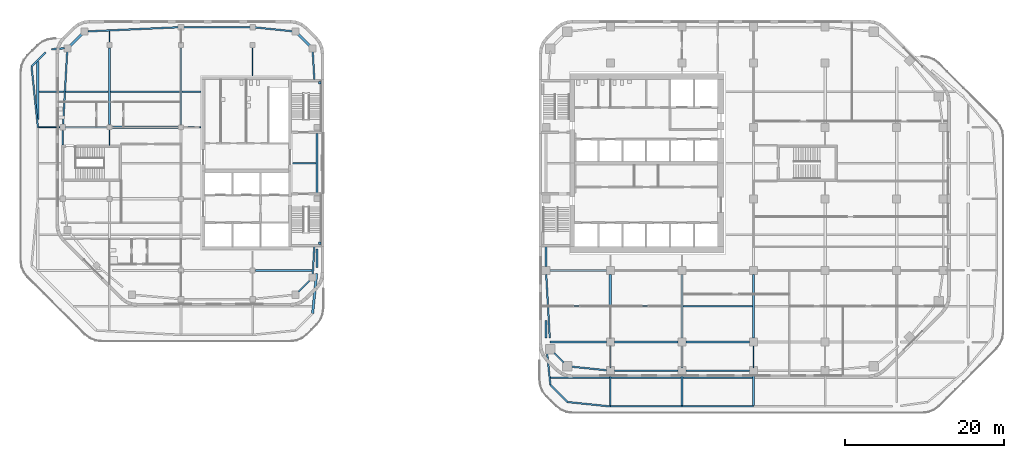
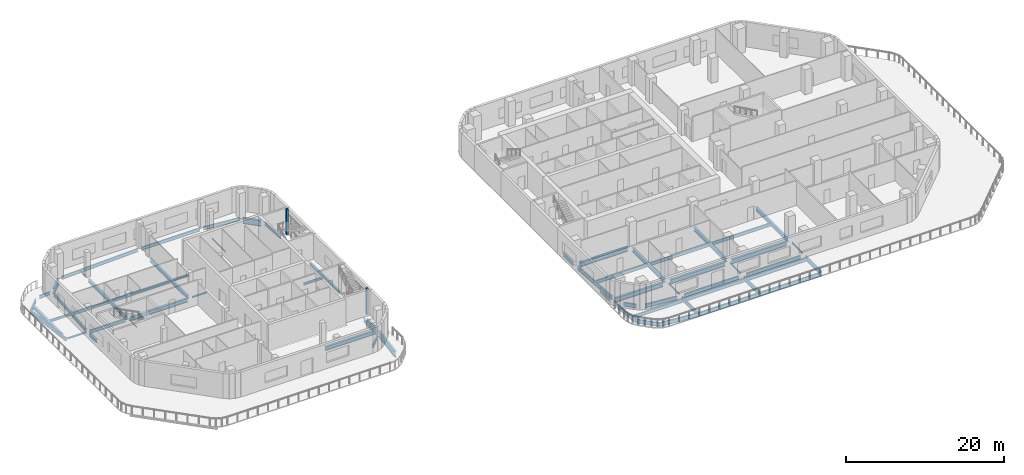
# One storey, part 2 of 15: 63 beams, 2 members.
"""IFC4 building model written with IfcOpenShell, lengths in metres."""

from ifc_helpers import new_model, si_unit, direction, frame, origin, origin_2d, place, context, subcontext, project, spatial, rectangle, i_section, extrude, material, material_profile, profile_set, type_object, element, save


model = new_model("IFC4")

# Units and contexts
model_context = context("Model", 3, precision=1e-05, world=origin(), true_north=direction((0.0, 1.0)))
body_context = subcontext(model_context, "Body", "Model", "MODEL_VIEW")
ifc_project = project(units=[si_unit("LENGTHUNIT", "METRE"), si_unit("AREAUNIT", "SQUARE_METRE"), si_unit("VOLUMEUNIT", "CUBIC_METRE"), si_unit("PLANEANGLEUNIT", "RADIAN"), si_unit("MASSUNIT", "GRAM", prefix="KILO")], contexts=[model_context])

# Site, building, storey
site_placement = place(None, origin())
site = spatial("IfcSite", under=ifc_project, at=site_placement, CompositionType="ELEMENT")
building_placement = place(site_placement, origin())
building = spatial("IfcBuilding", under=site, at=building_placement, Name="Cinnabar Reach Civic Tower", CompositionType="ELEMENT")
storey_placement = place(building_placement, frame((0.0, 0.0, 100.0)))
storey = spatial("IfcBuildingStorey", under=building, at=storey_placement, Name="L23", CompositionType="ELEMENT", Elevation=100.0)

# Beams
ifc_material_1 = material(Name="Steel Q355B", Category="steel")
ifc_material_profile_1 = material_profile(ifc_material_1, i_section(OverallWidth=0.3, OverallDepth=0.488, WebThickness=0.011, FlangeThickness=0.018, FilletRadius=0.016, at=origin_2d()), Name="HM488x300x11x18")
ifc_profile_set_1 = profile_set([ifc_material_profile_1], Name="Steel Q355B")
beam_type_1 = type_object("IfcBeamType", Name="HM488x300x11x18 beam R 120", PredefinedType="BEAM", material=ifc_profile_set_1)
beam_1_placement = place(storey_placement, frame((-63.0, 36.9842, -0.394), z_axis=(0.0, 1.0, 0.0), x_axis=(-1.0, 0.0, 0.0)))
element("IfcBeam", 1, at=beam_1_placement, inside=storey, type_object=beam_type_1, Name="Girder T2 L23 2", PredefinedType="BEAM", context=body_context, shape_type="SweptSolid", body=[
    extrude(i_section(OverallWidth=0.3, OverallDepth=0.488, WebThickness=0.011, FlangeThickness=0.018, FilletRadius=0.016, at=origin_2d()), origin(), (0.0, 0.0, 1.0), 7.3166),
])
for number, where, z_axis, x_axis, name in (
    (2, (-54.0, 36.352, -0.394), (0.0, 1.0, 0.0), (-1.0, 0.0, 0.0), "Girder T2 L23 7"),
    (3, (-45.0, 36.352, -0.394), (0.0, 1.0, 0.0), (-1.0, 0.0, 0.0), "Girder T2 L23 13"),
):
    element("IfcBeam", number, at=place(storey_placement, frame(where, z_axis=z_axis, x_axis=x_axis)), inside=storey, type_object=beam_type_1, Name=name, PredefinedType="BEAM", context=body_context, shape_type="SweptSolid", body=[
        extrude(i_section(OverallWidth=0.3, OverallDepth=0.488, WebThickness=0.011, FlangeThickness=0.018, FilletRadius=0.016, at=origin_2d()), origin(), (0.0, 0.0, 1.0), 9.596),
    ])
ifc_material_profile_2 = material_profile(ifc_material_1, i_section(OverallWidth=0.3, OverallDepth=0.588, WebThickness=0.012, FlangeThickness=0.02, FilletRadius=0.016, at=origin_2d()), Name="HM588x300x12x20")
ifc_profile_set_2 = profile_set([ifc_material_profile_2], Name="Steel Q355B")
beam_type_2 = type_object("IfcBeamType", Name="HM588x300x12x20 beam R 120", PredefinedType="BEAM", material=ifc_profile_set_2)
beam_2_placement = place(storey_placement, frame((-35.648, 18.0, -0.444), z_axis=(1.0, 0.0, 0.0), x_axis=(0.0, 1.0, 0.0)))
element("IfcBeam", 4, at=beam_2_placement, inside=storey, type_object=beam_type_2, Name="Girder T2 L23 4", PredefinedType="BEAM", context=body_context, shape_type="SweptSolid", body=[
    extrude(i_section(OverallWidth=0.3, OverallDepth=0.588, WebThickness=0.012, FlangeThickness=0.02, FilletRadius=0.016, at=origin_2d()), origin(), (0.0, 0.0, 1.0), 7.1429),
])
beam_3_placement = place(storey_placement, frame((-53.648, 36.0, -0.444), z_axis=(1.0, 0.0, 0.0), x_axis=(0.0, 1.0, 0.0)))
element("IfcBeam", 5, at=beam_3_placement, inside=storey, type_object=beam_type_2, Name="Girder T2 L23 11", PredefinedType="BEAM", context=body_context, shape_type="SweptSolid", body=[
    extrude(i_section(OverallWidth=0.3, OverallDepth=0.588, WebThickness=0.012, FlangeThickness=0.02, FilletRadius=0.016, at=origin_2d()), origin(), (0.0, 0.0, 1.0), 8.296),
])
ifc_material_profile_3 = material_profile(ifc_material_1, i_section(OverallWidth=0.302, OverallDepth=0.594, WebThickness=0.014, FlangeThickness=0.023, FilletRadius=0.016, at=origin_2d()), Name="HM594x302x14x23")
ifc_profile_set_3 = profile_set([ifc_material_profile_3], Name="Steel Q355B")
beam_type_3 = type_object("IfcBeamType", Name="HM594x302x14x23 beam R 180", PredefinedType="BEAM", material=ifc_profile_set_3)
for number, where, z_axis, x_axis, name in (
    (6, (9.0, 9.502, -0.447), (0.0, 1.0, 0.0), (-1.0, 0.0, 0.0), "Girder T1 L23 3"),
    (7, (18.0, 9.502, -0.447), (0.0, 1.0, 0.0), (-1.0, 0.0, 0.0), "Girder T1 L23 7"),
    (8, (27.0, 9.502, -0.447), (0.0, 1.0, 0.0), (-1.0, 0.0, 0.0), "Girder T1 L23 11"),
):
    element("IfcBeam", number, at=place(storey_placement, frame(where, z_axis=z_axis, x_axis=x_axis)), inside=storey, type_object=beam_type_3, Name=name, PredefinedType="BEAM", context=body_context, shape_type="SweptSolid", body=[
        extrude(i_section(OverallWidth=0.302, OverallDepth=0.594, WebThickness=0.014, FlangeThickness=0.023, FilletRadius=0.016, at=origin_2d()), origin(), (0.0, 0.0, 1.0), 7.996),
    ])
ifc_material_profile_4 = material_profile(ifc_material_1, i_section(OverallWidth=0.099, OverallDepth=0.198, WebThickness=0.0045, FlangeThickness=0.007, FilletRadius=0.013, at=origin_2d()), Name="HN200x100x5.5x8")
ifc_profile_set_4 = profile_set([ifc_material_profile_4], Name="Steel Q355B")
beam_type_4 = type_object("IfcBeamType", Name="HN200x100x5.5x8 beam R 120", PredefinedType="BEAM", material=ifc_profile_set_4)
beam_4_placement = place(storey_placement, frame((-54.0, 33.752, -0.249), z_axis=(0.0, 1.0, 0.0), x_axis=(-1.0, 0.0, 0.0)))
element("IfcBeam", 9, at=beam_4_placement, inside=storey, type_object=beam_type_4, Name="Girder T2 L23 6", PredefinedType="BEAM", context=body_context, shape_type="SweptSolid", body=[
    extrude(i_section(OverallWidth=0.099, OverallDepth=0.198, WebThickness=0.0045, FlangeThickness=0.007, FilletRadius=0.013, at=origin_2d()), origin(), (0.0, 0.0, 1.0), 1.896),
])
beam_5_placement = place(storey_placement, frame((-54.0, 46.752, -0.249), z_axis=(0.0, 1.0, 0.0), x_axis=(-1.0, 0.0, 0.0)))
element("IfcBeam", 10, at=beam_5_placement, inside=storey, type_object=beam_type_4, Name="Girder T2 L23 8", PredefinedType="BEAM", context=body_context, shape_type="SweptSolid", body=[
    extrude(i_section(OverallWidth=0.099, OverallDepth=0.198, WebThickness=0.0045, FlangeThickness=0.007, FilletRadius=0.013, at=origin_2d()), origin(), (0.0, 0.0, 1.0), 1.3361),
])
beam_6_placement = place(storey_placement, frame((-36.0, 42.502, -0.249), z_axis=(0.0, 1.0, 0.0), x_axis=(-1.0, 0.0, 0.0)))
element("IfcBeam", 11, at=beam_6_placement, inside=storey, type_object=beam_type_4, Name="Girder T2 L23 17", PredefinedType="BEAM", context=body_context, shape_type="SweptSolid", body=[
    extrude(i_section(OverallWidth=0.099, OverallDepth=0.198, WebThickness=0.0045, FlangeThickness=0.007, FilletRadius=0.013, at=origin_2d()), origin(), (0.0, 0.0, 1.0), 3.446),
])
ifc_material_profile_5 = material_profile(ifc_material_1, i_section(OverallWidth=0.099, OverallDepth=0.198, WebThickness=0.0045, FlangeThickness=0.007, FilletRadius=0.013, at=origin_2d()), Name="HN200x100x5.5x8")
ifc_profile_set_5 = profile_set([ifc_material_profile_5], Name="Steel Q355B")
beam_type_5 = type_object("IfcBeamType", Name="HN200x100x5.5x8 beam R 180", PredefinedType="BEAM", material=ifc_profile_set_5)
for number, where, z_axis, x_axis, name in (
    (12, (9.0, 5.752, -0.249), (0.0, 1.0, 0.0), (-1.0, 0.0, 0.0), "Girder T1 L23 2"),
    (13, (18.0, 5.752, -0.249), (0.0, 1.0, 0.0), (-1.0, 0.0, 0.0), "Girder T1 L23 6"),
    (14, (27.0, 5.752, -0.249), (0.0, 1.0, 0.0), (-1.0, 0.0, 0.0), "Girder T1 L23 10"),
):
    element("IfcBeam", number, at=place(storey_placement, frame(where, z_axis=z_axis, x_axis=x_axis)), inside=storey, type_object=beam_type_5, Name=name, PredefinedType="BEAM", context=body_context, shape_type="SweptSolid", body=[
        extrude(i_section(OverallWidth=0.099, OverallDepth=0.198, WebThickness=0.0045, FlangeThickness=0.007, FilletRadius=0.013, at=origin_2d()), origin(), (0.0, 0.0, 1.0), 2.746),
    ])
ifc_material_profile_6 = material_profile(ifc_material_1, i_section(OverallWidth=0.124, OverallDepth=0.248, WebThickness=0.005, FlangeThickness=0.008, FilletRadius=0.013, at=origin_2d()), Name="HN250x125x6x9")
ifc_profile_set_6 = profile_set([ifc_material_profile_6], Name="Steel Q355B")
beam_type_6 = type_object("IfcBeamType", Name="HN250x125x6x9 beam R 120", PredefinedType="BEAM", material=ifc_profile_set_6)
beam_7_placement = place(storey_placement, frame((-62.898, 36.0, -0.274), z_axis=(1.0, 0.0, 0.0), x_axis=(0.0, 1.0, 0.0)))
element("IfcBeam", 15, at=beam_7_placement, inside=storey, type_object=beam_type_6, Name="Girder T2 L23 9", PredefinedType="BEAM", context=body_context, shape_type="SweptSolid", body=[
    extrude(i_section(OverallWidth=0.124, OverallDepth=0.248, WebThickness=0.005, FlangeThickness=0.008, FilletRadius=0.013, at=origin_2d()), origin(), (0.0, 0.0, 1.0), 2.796),
])
beam_8_placement = place(storey_placement, frame((-44.648, 36.0, -0.274), z_axis=(1.0, 0.0, 0.0), x_axis=(0.0, 1.0, 0.0)))
element("IfcBeam", 16, at=beam_8_placement, inside=storey, type_object=beam_type_6, Name="Girder T2 L23 12", PredefinedType="BEAM", context=body_context, shape_type="SweptSolid", body=[
    extrude(i_section(OverallWidth=0.124, OverallDepth=0.248, WebThickness=0.005, FlangeThickness=0.008, FilletRadius=0.013, at=origin_2d()), origin(), (0.0, 0.0, 1.0), 2.146),
])
ifc_material_profile_7 = material_profile(ifc_material_1, i_section(OverallWidth=0.175, OverallDepth=0.35, WebThickness=0.007, FlangeThickness=0.011, FilletRadius=0.013, at=origin_2d()), Name="HN350x175x7x11")
ifc_profile_set_7 = profile_set([ifc_material_profile_7], Name="Steel Q355B")
beam_type_7 = type_object("IfcBeamType", Name="HN350x175x7x11 beam R 120", PredefinedType="BEAM", material=ifc_profile_set_7)
beam_9_placement = place(storey_placement, frame((-30.998, 31.5, -0.325), z_axis=(1.0, 0.0, 0.0), x_axis=(0.0, 1.0, 0.0)))
element("IfcBeam", 17, at=beam_9_placement, inside=storey, type_object=beam_type_7, Name="Secondary beam T2 L23 12", PredefinedType="BEAM", context=body_context, shape_type="SweptSolid", body=[
    extrude(i_section(OverallWidth=0.175, OverallDepth=0.35, WebThickness=0.007, FlangeThickness=0.011, FilletRadius=0.013, at=origin_2d()), origin(), (0.0, 0.0, 1.0), 2.996),
])
beam_10_placement = place(storey_placement, frame((-62.848, 40.5, -0.325), z_axis=(1.0, 0.0, 0.0), x_axis=(0.0, 1.0, 0.0)))
element("IfcBeam", 18, at=beam_10_placement, inside=storey, type_object=beam_type_7, Name="Secondary beam T2 L23 13", PredefinedType="BEAM", context=body_context, shape_type="SweptSolid", body=[
    extrude(i_section(OverallWidth=0.175, OverallDepth=0.35, WebThickness=0.007, FlangeThickness=0.011, FilletRadius=0.013, at=origin_2d()), origin(), (0.0, 0.0, 1.0), 3.1473),
])
beam_11_placement = place(storey_placement, frame((-44.848, 40.5, -0.325), z_axis=(1.0, 0.0, 0.0), x_axis=(0.0, 1.0, 0.0)))
element("IfcBeam", 19, at=beam_11_placement, inside=storey, type_object=beam_type_7, Name="Secondary beam T2 L23 16", PredefinedType="BEAM", context=body_context, shape_type="SweptSolid", body=[
    extrude(i_section(OverallWidth=0.175, OverallDepth=0.35, WebThickness=0.007, FlangeThickness=0.011, FilletRadius=0.013, at=origin_2d()), origin(), (0.0, 0.0, 1.0), 2.346),
])
ifc_material_profile_8 = material_profile(ifc_material_1, i_section(OverallWidth=0.2, OverallDepth=0.45, WebThickness=0.009, FlangeThickness=0.014, FilletRadius=0.016, at=origin_2d()), Name="HN450x200x9x14")
ifc_profile_set_8 = profile_set([ifc_material_profile_8], Name="Steel Q355B")
beam_type_8 = type_object("IfcBeamType", Name="HN450x200x9x14 beam R 120", PredefinedType="BEAM", material=ifc_profile_set_8)
beam_12_placement = place(storey_placement, frame((-59.4964, 40.5, -0.375), z_axis=(1.0, 0.0, 0.0), x_axis=(0.0, 1.0, 0.0)))
element("IfcBeam", 20, at=beam_12_placement, inside=storey, type_object=beam_type_8, Name="Secondary beam T2 L23 14", PredefinedType="BEAM", context=body_context, shape_type="SweptSolid", body=[
    extrude(i_section(OverallWidth=0.2, OverallDepth=0.45, WebThickness=0.009, FlangeThickness=0.014, FilletRadius=0.016, at=origin_2d()), origin(), (0.0, 0.0, 1.0), 5.3444),
])
beam_13_placement = place(storey_placement, frame((-53.848, 40.5, -0.375), z_axis=(1.0, 0.0, 0.0), x_axis=(0.0, 1.0, 0.0)))
element("IfcBeam", 21, at=beam_13_placement, inside=storey, type_object=beam_type_8, Name="Secondary beam T2 L23 15", PredefinedType="BEAM", context=body_context, shape_type="SweptSolid", body=[
    extrude(i_section(OverallWidth=0.2, OverallDepth=0.45, WebThickness=0.009, FlangeThickness=0.014, FilletRadius=0.016, at=origin_2d()), origin(), (0.0, 0.0, 1.0), 8.696),
])
ifc_material_profile_9 = material_profile(ifc_material_1, i_section(OverallWidth=0.199, OverallDepth=0.496, WebThickness=0.009, FlangeThickness=0.014, FilletRadius=0.016, at=origin_2d()), Name="HN496x199x9x14")
ifc_profile_set_9 = profile_set([ifc_material_profile_9], Name="Steel Q355B")
beam_type_9 = type_object("IfcBeamType", Name="HN496x199x9x14 beam R 180", PredefinedType="BEAM", material=ifc_profile_set_9)
beam_14_placement = place(storey_placement, frame((1.4636, 4.5, -0.398), z_axis=(1.0, 0.0, 0.0), x_axis=(0.0, 1.0, 0.0)))
element("IfcBeam", 22, at=beam_14_placement, inside=storey, type_object=beam_type_9, Name="Secondary beam T1 L23 1", PredefinedType="BEAM", context=body_context, shape_type="SweptSolid", body=[
    extrude(i_section(OverallWidth=0.199, OverallDepth=0.496, WebThickness=0.009, FlangeThickness=0.014, FilletRadius=0.016, at=origin_2d()), origin(), (0.0, 0.0, 1.0), 7.4349),
])
for number, where, z_axis, x_axis, name in (
    (23, (9.1015, 4.5, -0.398), (1.0, 0.0, 0.0), (0.0, 1.0, 0.0), "Secondary beam T1 L23 2"),
    (24, (18.1015, 4.5, -0.398), (1.0, 0.0, 0.0), (0.0, 1.0, 0.0), "Secondary beam T1 L23 3"),
):
    element("IfcBeam", number, at=place(storey_placement, frame(where, z_axis=z_axis, x_axis=x_axis)), inside=storey, type_object=beam_type_9, Name=name, PredefinedType="BEAM", context=body_context, shape_type="SweptSolid", body=[
        extrude(i_section(OverallWidth=0.199, OverallDepth=0.496, WebThickness=0.009, FlangeThickness=0.014, FilletRadius=0.016, at=origin_2d()), origin(), (0.0, 0.0, 1.0), 8.797),
    ])
beam_15_placement = place(storey_placement, frame((1.2536, 13.5, -0.398), z_axis=(1.0, 0.0, 0.0), x_axis=(0.0, 1.0, 0.0)))
element("IfcBeam", 25, at=beam_15_placement, inside=storey, type_object=beam_type_9, Name="Secondary beam T1 L23 7", PredefinedType="BEAM", context=body_context, shape_type="SweptSolid", body=[
    extrude(i_section(OverallWidth=0.199, OverallDepth=0.496, WebThickness=0.009, FlangeThickness=0.014, FilletRadius=0.016, at=origin_2d()), origin(), (0.0, 0.0, 1.0), 7.5934),
])
for number, where, z_axis, x_axis, name in (
    (26, (9.153, 13.5, -0.398), (1.0, 0.0, 0.0), (0.0, 1.0, 0.0), "Secondary beam T1 L23 8"),
    (27, (18.153, 13.5, -0.398), (1.0, 0.0, 0.0), (0.0, 1.0, 0.0), "Secondary beam T1 L23 9"),
):
    element("IfcBeam", number, at=place(storey_placement, frame(where, z_axis=z_axis, x_axis=x_axis)), inside=storey, type_object=beam_type_9, Name=name, PredefinedType="BEAM", context=body_context, shape_type="SweptSolid", body=[
        extrude(i_section(OverallWidth=0.199, OverallDepth=0.496, WebThickness=0.009, FlangeThickness=0.014, FilletRadius=0.016, at=origin_2d()), origin(), (0.0, 0.0, 1.0), 8.694),
    ])
ifc_material_profile_10 = material_profile(ifc_material_1, i_section(OverallWidth=0.2, OverallDepth=0.5, WebThickness=0.01, FlangeThickness=0.016, FilletRadius=0.016, at=origin_2d()), Name="HN500x200x10x16")
ifc_profile_set_10 = profile_set([ifc_material_profile_10], Name="Steel Q355B")
beam_type_10 = type_object("IfcBeamType", Name="HN500x200x10x16 beam R 120", PredefinedType="BEAM", material=ifc_profile_set_10)
beam_16_placement = place(storey_placement, frame((-30.2199, 15.3351, -0.4), z_axis=(0.707106781187, 0.707106781187, 0.0), x_axis=(-0.707106781187, 0.707106781187, 0.0)))
element("IfcBeam", 28, at=beam_16_placement, inside=storey, type_object=beam_type_10, Name="Edge beam T2 L23 4", PredefinedType="BEAM", context=body_context, shape_type="SweptSolid", body=[
    extrude(i_section(OverallWidth=0.2, OverallDepth=0.5, WebThickness=0.01, FlangeThickness=0.016, FilletRadius=0.016, at=origin_2d()), origin(), (0.0, 0.0, 1.0), 1.9584),
])
beam_17_placement = place(storey_placement, frame((-28.4318, 17.4839, -0.4), z_axis=(0.055802048799, 0.998441851762, 0.0), x_axis=(-0.998441851762, 0.055802048799, 0.0)))
element("IfcBeam", 29, at=beam_17_placement, inside=storey, type_object=beam_type_10, Name="Edge beam T2 L23 5", PredefinedType="BEAM", context=body_context, shape_type="SweptSolid", body=[
    extrude(i_section(OverallWidth=0.2, OverallDepth=0.5, WebThickness=0.01, FlangeThickness=0.016, FilletRadius=0.016, at=origin_2d()), origin(), (0.0, 0.0, 1.0), 3.5196),
])
beam_18_placement = place(storey_placement, frame((-27.9, 27.752, -0.4), z_axis=(0.0, 1.0, 0.0), x_axis=(-1.0, 0.0, 0.0)))
element("IfcBeam", 30, at=beam_18_placement, inside=storey, type_object=beam_type_10, Name="Edge beam T2 L23 6", PredefinedType="BEAM", context=body_context, shape_type="SweptSolid", body=[
    extrude(i_section(OverallWidth=0.2, OverallDepth=0.5, WebThickness=0.01, FlangeThickness=0.016, FilletRadius=0.016, at=origin_2d()), origin(), (0.0, 0.0, 1.0), 7.496),
])
beam_19_placement = place(storey_placement, frame((-28.2354, 42.002, -0.4), z_axis=(-0.055791798524, 0.998442424588, 0.0), x_axis=(-0.998442424588, -0.055791798524, 0.0)))
element("IfcBeam", 31, at=beam_19_placement, inside=storey, type_object=beam_type_10, Name="Edge beam T2 L23 7", PredefinedType="BEAM", context=body_context, shape_type="SweptSolid", body=[
    extrude(i_section(OverallWidth=0.2, OverallDepth=0.5, WebThickness=0.01, FlangeThickness=0.016, FilletRadius=0.016, at=origin_2d()), origin(), (0.0, 0.0, 1.0), 3.6833),
])
beam_20_placement = place(storey_placement, frame((-30.7971, 48.0669, -0.4), z_axis=(-0.994792202154, 0.10192386636, 0.0), x_axis=(-0.10192386636, -0.994792202154, 0.0)))
element("IfcBeam", 32, at=beam_20_placement, inside=storey, type_object=beam_type_10, Name="Edge beam T2 L23 9", PredefinedType="BEAM", context=body_context, shape_type="SweptSolid", body=[
    extrude(i_section(OverallWidth=0.2, OverallDepth=0.5, WebThickness=0.01, FlangeThickness=0.016, FilletRadius=0.016, at=origin_2d()), origin(), (0.0, 0.0, 1.0), 4.9782),
])
beam_21_placement = place(storey_placement, frame((-36.2519, 48.6, -0.4), z_axis=(-1.0, 0.0, 0.0), x_axis=(0.0, -1.0, 0.0)))
element("IfcBeam", 33, at=beam_21_placement, inside=storey, type_object=beam_type_10, Name="Edge beam T2 L23 10", PredefinedType="BEAM", context=body_context, shape_type="SweptSolid", body=[
    extrude(i_section(OverallWidth=0.2, OverallDepth=0.5, WebThickness=0.01, FlangeThickness=0.016, FilletRadius=0.016, at=origin_2d()), origin(), (0.0, 0.0, 1.0), 8.4962),
])
beam_22_placement = place(storey_placement, frame((-45.2514, 48.5886, -0.4), z_axis=(-0.99896512398, -0.045482755754, 0.0), x_axis=(0.045482755754, -0.99896512398, 0.0)))
element("IfcBeam", 34, at=beam_22_placement, inside=storey, type_object=beam_type_10, Name="Edge beam T2 L23 11", PredefinedType="BEAM", context=body_context, shape_type="SweptSolid", body=[
    extrude(i_section(OverallWidth=0.2, OverallDepth=0.5, WebThickness=0.01, FlangeThickness=0.016, FilletRadius=0.016, at=origin_2d()), origin(), (0.0, 0.0, 1.0), 11.4769),
])
beam_23_placement = place(storey_placement, frame((-59.3182, 45.5161, -0.4), z_axis=(-0.055793405942, -0.998442334766, 0.0), x_axis=(0.998442334766, -0.055793405942, 0.0)))
element("IfcBeam", 35, at=beam_23_placement, inside=storey, type_object=beam_type_10, Name="Edge beam T2 L23 13", PredefinedType="BEAM", context=body_context, shape_type="SweptSolid", body=[
    extrude(i_section(OverallWidth=0.2, OverallDepth=0.5, WebThickness=0.01, FlangeThickness=0.016, FilletRadius=0.016, at=origin_2d()), origin(), (0.0, 0.0, 1.0), 9.1283),
])
beam_24_placement = place(storey_placement, frame((-59.85, 35.598, -0.4), z_axis=(0.0, -1.0, 0.0), x_axis=(1.0, 0.0, 0.0)))
element("IfcBeam", 36, at=beam_24_placement, inside=storey, type_object=beam_type_10, Name="Edge beam T2 L23 14", PredefinedType="BEAM", context=body_context, shape_type="SweptSolid", body=[
    extrude(i_section(OverallWidth=0.2, OverallDepth=0.5, WebThickness=0.01, FlangeThickness=0.016, FilletRadius=0.016, at=origin_2d()), origin(), (0.0, 0.0, 1.0), 1.846),
])
beam_25_placement = place(storey_placement, frame((-27.9, 18.402, -0.4), z_axis=(0.0, 1.0, 0.0), x_axis=(-1.0, 0.0, 0.0)))
element("IfcBeam", 37, at=beam_25_placement, inside=storey, type_object=beam_type_10, Name="Edge beam T2 L23 24", PredefinedType="BEAM", context=body_context, shape_type="SweptSolid", body=[
    extrude(i_section(OverallWidth=0.2, OverallDepth=0.5, WebThickness=0.01, FlangeThickness=0.016, FilletRadius=0.016, at=origin_2d()), origin(), (0.0, 0.0, 1.0), 2.3247),
])
beam_26_placement = place(storey_placement, frame((-59.6789, 45.9393, -0.4), z_axis=(-0.997394503123, -0.072140177015, 0.0), x_axis=(0.072140177015, -0.997394503123, 0.0)))
element("IfcBeam", 38, at=beam_26_placement, inside=storey, type_object=beam_type_10, Name="Edge beam T2 L23 25", PredefinedType="BEAM", context=body_context, shape_type="SweptSolid", body=[
    extrude(i_section(OverallWidth=0.2, OverallDepth=0.5, WebThickness=0.01, FlangeThickness=0.016, FilletRadius=0.016, at=origin_2d()), origin(), (0.0, 0.0, 1.0), 1.5913),
])
beam_27_placement = place(storey_placement, frame((-62.0301, 45.4149, -0.4), z_axis=(-0.707106781187, -0.707106781187, 0.0), x_axis=(0.707106781187, -0.707106781187, 0.0)))
element("IfcBeam", 39, at=beam_27_placement, inside=storey, type_object=beam_type_10, Name="Edge beam T2 L23 26", PredefinedType="BEAM", context=body_context, shape_type="SweptSolid", body=[
    extrude(i_section(OverallWidth=0.2, OverallDepth=0.5, WebThickness=0.01, FlangeThickness=0.016, FilletRadius=0.016, at=origin_2d()), origin(), (0.0, 0.0, 1.0), 2.4986),
])
beam_28_placement = place(storey_placement, frame((-63.7969, 43.6481, -0.4), z_axis=(0.103634762764, -0.994615421129, 0.0), x_axis=(0.994615421129, 0.103634762764, 0.0)))
element("IfcBeam", 40, at=beam_28_placement, inside=storey, type_object=beam_type_10, Name="Edge beam T2 L23 27", PredefinedType="BEAM", context=body_context, shape_type="SweptSolid", body=[
    extrude(i_section(OverallWidth=0.2, OverallDepth=0.5, WebThickness=0.01, FlangeThickness=0.016, FilletRadius=0.016, at=origin_2d()), origin(), (0.0, 0.0, 1.0), 7.6895),
])
beam_29_placement = place(storey_placement, frame((-59.598, 36.0, -0.4), z_axis=(1.0, 0.0, 0.0), x_axis=(0.0, 1.0, 0.0)))
element("IfcBeam", 41, at=beam_29_placement, inside=storey, type_object=beam_type_10, Name="Girder T2 L23 10", PredefinedType="BEAM", context=body_context, shape_type="SweptSolid", body=[
    extrude(i_section(OverallWidth=0.2, OverallDepth=0.5, WebThickness=0.01, FlangeThickness=0.016, FilletRadius=0.016, at=origin_2d()), origin(), (0.0, 0.0, 1.0), 5.246),
])
ifc_material_profile_11 = material_profile(ifc_material_1, i_section(OverallWidth=0.199, OverallDepth=0.596, WebThickness=0.01, FlangeThickness=0.015, FilletRadius=0.016, at=origin_2d()), Name="HN596x199x10x15")
ifc_profile_set_11 = profile_set([ifc_material_profile_11], Name="Steel Q355B")
beam_type_11 = type_object("IfcBeamType", Name="HN596x199x10x15 beam R 180", PredefinedType="BEAM", material=ifc_profile_set_11)
beam_30_placement = place(storey_placement, frame((9.0, 1.0025, -0.448), z_axis=(0.0, 1.0, 0.0), x_axis=(-1.0, 0.0, 0.0)))
element("IfcBeam", 42, at=beam_30_placement, inside=storey, type_object=beam_type_11, Name="Girder T1 L23 1", PredefinedType="BEAM", context=body_context, shape_type="SweptSolid", body=[
    extrude(i_section(OverallWidth=0.199, OverallDepth=0.596, WebThickness=0.01, FlangeThickness=0.015, FilletRadius=0.016, at=origin_2d()), origin(), (0.0, 0.0, 1.0), 4.0455),
])
for number, where, z_axis, x_axis, name in (
    (43, (18.0, 1.002, -0.448), (0.0, 1.0, 0.0), (-1.0, 0.0, 0.0), "Girder T1 L23 5"),
    (44, (27.0, 1.002, -0.448), (0.0, 1.0, 0.0), (-1.0, 0.0, 0.0), "Girder T1 L23 9"),
):
    element("IfcBeam", number, at=place(storey_placement, frame(where, z_axis=z_axis, x_axis=x_axis)), inside=storey, type_object=beam_type_11, Name=name, PredefinedType="BEAM", context=body_context, shape_type="SweptSolid", body=[
        extrude(i_section(OverallWidth=0.199, OverallDepth=0.596, WebThickness=0.01, FlangeThickness=0.015, FilletRadius=0.016, at=origin_2d()), origin(), (0.0, 0.0, 1.0), 4.046),
    ])
ifc_material_profile_12 = material_profile(ifc_material_1, i_section(OverallWidth=0.2, OverallDepth=0.6, WebThickness=0.011, FlangeThickness=0.017, FilletRadius=0.016, at=origin_2d()), Name="HN600x200x11x17")
ifc_profile_set_12 = profile_set([ifc_material_profile_12], Name="Steel Q355B")
beam_type_12 = type_object("IfcBeamType", Name="HN600x200x11x17 beam R 180", PredefinedType="BEAM", material=ifc_profile_set_12)
beam_31_placement = place(storey_placement, frame((4.0839, 5.9037, -0.45), z_axis=(0.994791228755, -0.101933366432, 0.0), x_axis=(0.101933366432, 0.994791228755, 0.0)))
element("IfcBeam", 45, at=beam_31_placement, inside=storey, type_object=beam_type_12, Name="Edge beam T1 L23 1", PredefinedType="BEAM", context=body_context, shape_type="SweptSolid", body=[
    extrude(i_section(OverallWidth=0.2, OverallDepth=0.6, WebThickness=0.011, FlangeThickness=0.017, FilletRadius=0.016, at=origin_2d()), origin(), (0.0, 0.0, 1.0), 4.4372),
])
for number, where, z_axis, x_axis, name in (
    (46, (9.502, 5.4, -0.45), (1.0, 0.0, 0.0), (0.0, 1.0, 0.0), "Edge beam T1 L23 2"),
    (47, (18.502, 5.4, -0.45), (1.0, 0.0, 0.0), (0.0, 1.0, 0.0), "Edge beam T1 L23 3"),
):
    element("IfcBeam", number, at=place(storey_placement, frame(where, z_axis=z_axis, x_axis=x_axis)), inside=storey, type_object=beam_type_12, Name=name, PredefinedType="BEAM", context=body_context, shape_type="SweptSolid", body=[
        extrude(i_section(OverallWidth=0.2, OverallDepth=0.6, WebThickness=0.011, FlangeThickness=0.017, FilletRadius=0.016, at=origin_2d()), origin(), (0.0, 0.0, 1.0), 7.996),
    ])
beam_32_placement = place(storey_placement, frame((0.9, 20.998, -0.45), z_axis=(0.0, -1.0, 0.0), x_axis=(1.0, 0.0, 0.0)))
element("IfcBeam", 48, at=beam_32_placement, inside=storey, type_object=beam_type_12, Name="Edge beam T1 L23 22", PredefinedType="BEAM", context=body_context, shape_type="SweptSolid", body=[
    extrude(i_section(OverallWidth=0.2, OverallDepth=0.6, WebThickness=0.011, FlangeThickness=0.017, FilletRadius=0.016, at=origin_2d()), origin(), (0.0, 0.0, 1.0), 2.496),
])
beam_33_placement = place(storey_placement, frame((0.9281, 17.498, -0.45), z_axis=(0.055790907647, -0.998442474369, 0.0), x_axis=(0.998442474369, 0.055790907647, 0.0)))
element("IfcBeam", 49, at=beam_33_placement, inside=storey, type_object=beam_type_12, Name="Edge beam T1 L23 23", PredefinedType="BEAM", context=body_context, shape_type="SweptSolid", body=[
    extrude(i_section(OverallWidth=0.2, OverallDepth=0.6, WebThickness=0.011, FlangeThickness=0.017, FilletRadius=0.016, at=origin_2d()), origin(), (0.0, 0.0, 1.0), 8.0085),
])
beam_34_placement = place(storey_placement, frame((1.9351, 7.6199, -0.45), z_axis=(0.707106781187, -0.707106781187, 0.0), x_axis=(0.707106781187, 0.707106781187, 0.0)))
element("IfcBeam", 50, at=beam_34_placement, inside=storey, type_object=beam_type_12, Name="Edge beam T1 L23 24", PredefinedType="BEAM", context=body_context, shape_type="SweptSolid", body=[
    extrude(i_section(OverallWidth=0.2, OverallDepth=0.6, WebThickness=0.011, FlangeThickness=0.017, FilletRadius=0.016, at=origin_2d()), origin(), (0.0, 0.0, 1.0), 1.6756),
])
beam_35_placement = place(storey_placement, frame((3.6019, 1.4531, -0.45), z_axis=(0.994791744888, -0.101928329245, 0.0), x_axis=(0.101928329245, 0.994791744888, 0.0)))
element("IfcBeam", 51, at=beam_35_placement, inside=storey, type_object=beam_type_12, Name="Edge beam T1 L23 25", PredefinedType="BEAM", context=body_context, shape_type="SweptSolid", body=[
    extrude(i_section(OverallWidth=0.2, OverallDepth=0.6, WebThickness=0.011, FlangeThickness=0.017, FilletRadius=0.016, at=origin_2d()), origin(), (0.0, 0.0, 1.0), 5.4264),
])
for number, where, z_axis, x_axis, name in (
    (52, (9.0, 0.9, -0.45), (1.0, 0.0, 0.0), (0.0, 1.0, 0.0), "Edge beam T1 L23 26"),
    (53, (18.0, 0.9, -0.45), (1.0, 0.0, 0.0), (0.0, 1.0, 0.0), "Edge beam T1 L23 27"),
):
    element("IfcBeam", number, at=place(storey_placement, frame(where, z_axis=z_axis, x_axis=x_axis)), inside=storey, type_object=beam_type_12, Name=name, PredefinedType="BEAM", context=body_context, shape_type="SweptSolid", body=[
        extrude(i_section(OverallWidth=0.2, OverallDepth=0.6, WebThickness=0.011, FlangeThickness=0.017, FilletRadius=0.016, at=origin_2d()), origin(), (0.0, 0.0, 1.0), 9.0),
    ])
beam_36_placement = place(storey_placement, frame((0.9, 11.7267, -0.45), z_axis=(0.0, -1.0, 0.0), x_axis=(1.0, 0.0, 0.0)))
element("IfcBeam", 54, at=beam_36_placement, inside=storey, type_object=beam_type_12, Name="Edge beam T1 L23 38", PredefinedType="BEAM", context=body_context, shape_type="SweptSolid", body=[
    extrude(i_section(OverallWidth=0.2, OverallDepth=0.6, WebThickness=0.011, FlangeThickness=0.017, FilletRadius=0.016, at=origin_2d()), origin(), (0.0, 0.0, 1.0), 2.2247),
])
beam_37_placement = place(storey_placement, frame((1.0414, 7.6199, -0.45), z_axis=(0.101930234199, -0.994791549701, 0.0), x_axis=(0.994791549701, 0.101930234199, 0.0)))
element("IfcBeam", 55, at=beam_37_placement, inside=storey, type_object=beam_type_12, Name="Edge beam T1 L23 39", PredefinedType="BEAM", context=body_context, shape_type="SweptSolid", body=[
    extrude(i_section(OverallWidth=0.2, OverallDepth=0.6, WebThickness=0.011, FlangeThickness=0.017, FilletRadius=0.016, at=origin_2d()), origin(), (0.0, 0.0, 1.0), 4.039),
])
beam_38_placement = place(storey_placement, frame((1.4531, 3.6019, -0.45), z_axis=(0.707106781187, -0.707106781187, 0.0), x_axis=(0.707106781187, 0.707106781187, 0.0)))
element("IfcBeam", 56, at=beam_38_placement, inside=storey, type_object=beam_type_12, Name="Edge beam T1 L23 40", PredefinedType="BEAM", context=body_context, shape_type="SweptSolid", body=[
    extrude(i_section(OverallWidth=0.2, OverallDepth=0.6, WebThickness=0.011, FlangeThickness=0.017, FilletRadius=0.016, at=origin_2d()), origin(), (0.0, 0.0, 1.0), 3.0389),
])
ifc_material_profile_13 = material_profile(ifc_material_1, i_section(OverallWidth=0.3, OverallDepth=0.692, WebThickness=0.013, FlangeThickness=0.02, FilletRadius=0.016, at=origin_2d()), Name="HN692x300x13x20")
ifc_profile_set_13 = profile_set([ifc_material_profile_13], Name="Steel Q355B")
beam_type_13 = type_object("IfcBeamType", Name="HN692x300x13x20 beam R 180", PredefinedType="BEAM", material=ifc_profile_set_13)
beam_39_placement = place(storey_placement, frame((1.402, 9.0, -0.496), z_axis=(1.0, 0.0, 0.0), x_axis=(0.0, 1.0, 0.0)))
element("IfcBeam", 57, at=beam_39_placement, inside=storey, type_object=beam_type_13, Name="Girder T1 L23 1", PredefinedType="BEAM", context=body_context, shape_type="SweptSolid", body=[
    extrude(i_section(OverallWidth=0.3, OverallDepth=0.692, WebThickness=0.013, FlangeThickness=0.02, FilletRadius=0.016, at=origin_2d()), origin(), (0.0, 0.0, 1.0), 7.096),
])
for number, where, z_axis, x_axis, name in (
    (58, (9.502, 9.0, -0.496), (1.0, 0.0, 0.0), (0.0, 1.0, 0.0), "Girder T1 L23 2"),
    (59, (18.502, 9.0, -0.496), (1.0, 0.0, 0.0), (0.0, 1.0, 0.0), "Girder T1 L23 3"),
):
    element("IfcBeam", number, at=place(storey_placement, frame(where, z_axis=z_axis, x_axis=x_axis)), inside=storey, type_object=beam_type_13, Name=name, PredefinedType="BEAM", context=body_context, shape_type="SweptSolid", body=[
        extrude(i_section(OverallWidth=0.3, OverallDepth=0.692, WebThickness=0.013, FlangeThickness=0.02, FilletRadius=0.016, at=origin_2d()), origin(), (0.0, 0.0, 1.0), 7.996),
    ])
beam_40_placement = place(storey_placement, frame((1.402, 18.0, -0.496), z_axis=(1.0, 0.0, 0.0), x_axis=(0.0, 1.0, 0.0)))
element("IfcBeam", 60, at=beam_40_placement, inside=storey, type_object=beam_type_13, Name="Girder T1 L23 8", PredefinedType="BEAM", context=body_context, shape_type="SweptSolid", body=[
    extrude(i_section(OverallWidth=0.3, OverallDepth=0.692, WebThickness=0.013, FlangeThickness=0.02, FilletRadius=0.016, at=origin_2d()), origin(), (0.0, 0.0, 1.0), 7.096),
])

# Members
ifc_material_2 = material(Name="Concrete C40", Category="concrete")
ifc_material_profile_14 = material_profile(ifc_material_2, rectangle(XDim=0.3, YDim=0.3, at=origin_2d()), Name="C300")
ifc_profile_set_14 = profile_set([ifc_material_profile_14], Name="Concrete C40")
member_type = type_object("IfcMemberType", Name="T2 stair post 300", PredefinedType="STRUT", material=ifc_profile_set_14)
for number, where, z_axis, x_axis, name in (
    (61, (-27.55, 21.4, 0.0), (0.0, 0.0, 1.0), (1.0, 0.0, 0.0), "Stair post 1"),
    (62, (-27.55, 41.6, 0.0), (0.0, 0.0, 1.0), (1.0, 0.0, 0.0), "Stair post 2"),
):
    element("IfcMember", number, at=place(storey_placement, frame(where, z_axis=z_axis, x_axis=x_axis)), inside=storey, type_object=member_type, Name=name, PredefinedType="STRUT", context=body_context, shape_type="SweptSolid", body=[
        extrude(rectangle(XDim=0.3, YDim=0.3, at=origin_2d()), origin(), (0.0, 0.0, 1.0), 4.0),
    ])

# Beams
ifc_material_profile_15 = material_profile(ifc_material_1, i_section(OverallWidth=0.3, OverallDepth=0.9, WebThickness=0.016, FlangeThickness=0.028, FilletRadius=0.02, at=origin_2d()), Name="HN900x300x16x28")
ifc_profile_set_15 = profile_set([ifc_material_profile_15], Name="Steel Q355B")
beam_type_14 = type_object("IfcBeamType", Name="TRANSFER HN900x300x16x28 R 180", PredefinedType="BEAM", material=ifc_profile_set_15)
beam_41_placement = place(storey_placement, frame((-28.7205, 46.1655, -0.6), z_axis=(-0.707106781187, 0.707106781187, 0.0), x_axis=(-0.707106781187, -0.707106781187, 0.0)))
element("IfcBeam", 63, at=beam_41_placement, inside=storey, type_object=beam_type_14, Name="Edge beam T2 L23 8", PredefinedType="BEAM", context=body_context, shape_type="SweptSolid", body=[
    extrude(i_section(OverallWidth=0.3, OverallDepth=0.9, WebThickness=0.016, FlangeThickness=0.028, FilletRadius=0.02, at=origin_2d()), origin(), (0.0, 0.0, 1.0), 2.375),
])
beam_42_placement = place(storey_placement, frame((-57.2449, 47.9501, -0.6), z_axis=(-0.707106781187, -0.707106781187, 0.0), x_axis=(0.707106781187, -0.707106781187, 0.0)))
element("IfcBeam", 64, at=beam_42_placement, inside=storey, type_object=beam_type_14, Name="Edge beam T2 L23 12", PredefinedType="BEAM", context=body_context, shape_type="SweptSolid", body=[
    extrude(i_section(OverallWidth=0.3, OverallDepth=0.9, WebThickness=0.016, FlangeThickness=0.028, FilletRadius=0.02, at=origin_2d()), origin(), (0.0, 0.0, 1.0), 2.3617),
])
beam_43_placement = place(storey_placement, frame((-28.4531, 12.6019, -0.6), z_axis=(0.101926302617, 0.994791952538, 0.0), x_axis=(-0.994791952538, 0.101926302617, 0.0)))
element("IfcBeam", 65, at=beam_43_placement, inside=storey, type_object=beam_type_14, Name="Edge beam T2 L23 23", PredefinedType="BEAM", context=body_context, shape_type="SweptSolid", body=[
    extrude(i_section(OverallWidth=0.3, OverallDepth=0.9, WebThickness=0.016, FlangeThickness=0.028, FilletRadius=0.02, at=origin_2d()), origin(), (0.0, 0.0, 1.0), 5.0223),
])

save(model, "model.ifc")
